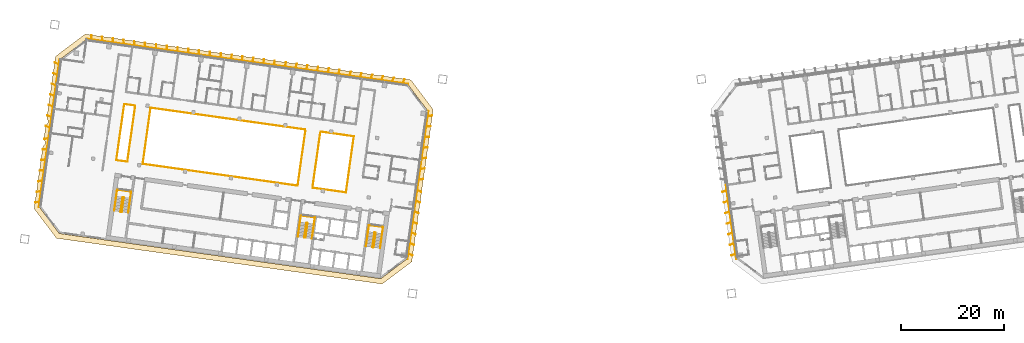
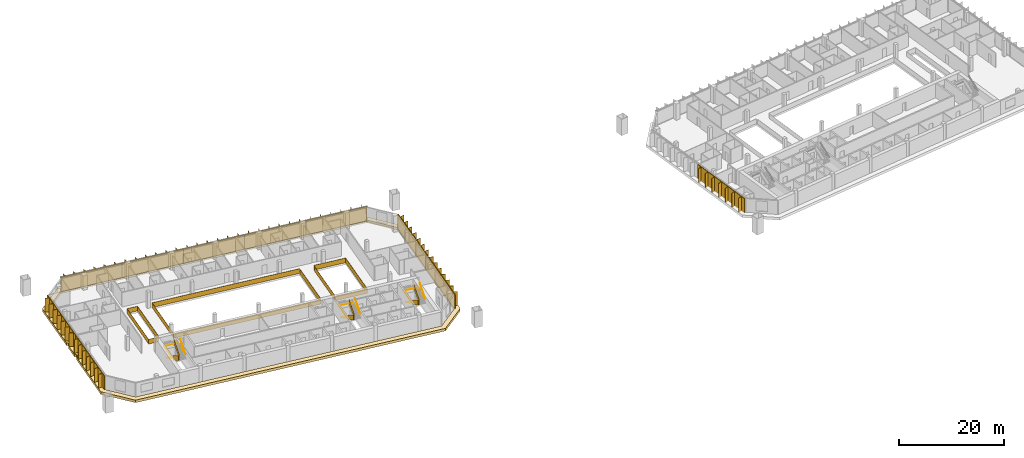
# One storey, part 25 of 26: 11 railings, 10 shading devices, 1 covering.
"""IFC4 building model written with IfcOpenShell, lengths in metres."""

from ifc_helpers import new_model, si_unit, direction, frame, origin, origin_2d, place, context, subcontext, project, spatial, polyline, rectangle, outline, extrude, material, layer, layer_set, type_object, element, save


model = new_model("IFC4")

# Units and contexts
model_context = context("Model", 3, precision=1e-05, world=origin(), true_north=direction((0.0, 1.0)))
body_context = subcontext(model_context, "Body", "Model", "MODEL_VIEW")
ifc_project = project(units=[si_unit("LENGTHUNIT", "METRE"), si_unit("AREAUNIT", "SQUARE_METRE"), si_unit("VOLUMEUNIT", "CUBIC_METRE"), si_unit("PLANEANGLEUNIT", "RADIAN"), si_unit("MASSUNIT", "GRAM", prefix="KILO")], contexts=[model_context])

# Site, building, storey
site_placement = place(None, origin())
site = spatial("IfcSite", under=ifc_project, at=site_placement, CompositionType="ELEMENT")
building_placement = place(site_placement, origin())
building = spatial("IfcBuilding", under=site, at=building_placement, Name="Mirante Cascada Hotel Towers", CompositionType="ELEMENT")
storey_placement = place(building_placement, frame((0.0, 0.0, 144.3)))
storey = spatial("IfcBuildingStorey", under=building, at=storey_placement, Name="L33", CompositionType="ELEMENT", Elevation=144.3)

# Railings
ifc_material_1 = material(Name="Toughened glass with stainless steel handrail", Category="steel")
railing_type_1 = type_object("IfcRailingType", Name="Atrium guard 1100 glass balustrade", PredefinedType="GUARDRAIL", material=ifc_material_1)
railing_1_placement = place(storey_placement, frame((-48.76, 8.3112, 0.0)))
element("IfcRailing", 1, at=railing_1_placement, inside=storey, type_object=railing_type_1, Name="GUARD 1-L33-1", PredefinedType="GUARDRAIL", context=body_context, shape_type="SweptSolid", body=[
    extrude(rectangle(XDim=0.048, YDim=0.048, at=origin_2d()), frame((0.0, 0.0, 1.076), z_axis=(0.9902694, -0.1391638, 0.0), x_axis=(0.1391638, 0.9902694, 0.0)), (0.0, 0.0, 1.0), 6.5125),
    extrude(rectangle(XDim=0.02, YDim=1.052, at=origin_2d()), frame((0.0, 0.0, 0.526), z_axis=(0.9902694, -0.1391638, 0.0), x_axis=(0.1391638, 0.9902694, 0.0)), (0.0, 0.0, 1.0), 6.5125),
    extrude(rectangle(XDim=0.048, YDim=0.048, at=origin_2d()), frame((6.4491, -0.9063, 1.076), z_axis=(-0.1391721, -0.9902682, 0.0), x_axis=(0.9902682, -0.1391721, 0.0)), (0.0, 0.0, 1.0), 11.0001),
    extrude(rectangle(XDim=0.02, YDim=1.052, at=origin_2d()), frame((6.4491, -0.9063, 0.526), z_axis=(-0.1391721, -0.9902682, 0.0), x_axis=(0.9902682, -0.1391721, 0.0)), (0.0, 0.0, 1.0), 11.0001),
    extrude(rectangle(XDim=0.048, YDim=0.048, at=origin_2d()), frame((4.9182, -11.7993, 1.076), z_axis=(-0.9902673, 0.1391788, 0.0), x_axis=(-0.1391788, -0.9902673, 0.0)), (0.0, 0.0, 1.0), 6.5125),
    extrude(rectangle(XDim=0.02, YDim=1.052, at=origin_2d()), frame((4.9182, -11.7993, 0.526), z_axis=(-0.9902673, 0.1391788, 0.0), x_axis=(-0.1391788, -0.9902673, 0.0)), (0.0, 0.0, 1.0), 6.5125),
])
railing_2_placement = place(storey_placement, frame((-53.2617, -2.1642, 0.0)))
element("IfcRailing", 2, at=railing_2_placement, inside=storey, type_object=railing_type_1, Name="GUARD 1-L33-2", PredefinedType="GUARDRAIL", context=body_context, shape_type="SweptSolid", body=[
    extrude(rectangle(XDim=0.048, YDim=0.048, at=origin_2d()), frame((0.0, 0.0, 1.076), z_axis=(-0.9902682, 0.1391722, 0.0), x_axis=(-0.1391722, -0.9902682, 0.0)), (0.0, 0.0, 1.0), 30.325),
    extrude(rectangle(XDim=0.02, YDim=1.052, at=origin_2d()), frame((0.0, 0.0, 0.526), z_axis=(-0.9902682, 0.1391722, 0.0), x_axis=(-0.1391722, -0.9902682, 0.0)), (0.0, 0.0, 1.0), 30.325),
    extrude(rectangle(XDim=0.048, YDim=0.048, at=origin_2d()), frame((-30.0299, 4.2204, 1.076), z_axis=(0.1391721, 0.9902682, 0.0), x_axis=(-0.9902682, 0.1391721, 0.0)), (0.0, 0.0, 1.0), 11.0001),
    extrude(rectangle(XDim=0.02, YDim=1.052, at=origin_2d()), frame((-30.0299, 4.2204, 0.526), z_axis=(0.1391721, 0.9902682, 0.0), x_axis=(-0.9902682, 0.1391721, 0.0)), (0.0, 0.0, 1.0), 11.0001),
    extrude(rectangle(XDim=0.048, YDim=0.048, at=origin_2d()), frame((-28.499, 15.1134, 1.076), z_axis=(0.9902682, -0.1391722, 0.0), x_axis=(0.1391722, 0.9902682, 0.0)), (0.0, 0.0, 1.0), 30.325),
    extrude(rectangle(XDim=0.02, YDim=1.052, at=origin_2d()), frame((-28.499, 15.1134, 0.526), z_axis=(0.9902682, -0.1391722, 0.0), x_axis=(0.1391722, 0.9902682, 0.0)), (0.0, 0.0, 1.0), 30.325),
])
railing_3_placement = place(storey_placement, frame((-86.2624, 2.4738, 0.0)))
element("IfcRailing", 3, at=railing_3_placement, inside=storey, type_object=railing_type_1, Name="GUARD 1-L33-3", PredefinedType="GUARDRAIL", context=body_context, shape_type="SweptSolid", body=[
    extrude(rectangle(XDim=0.048, YDim=0.048, at=origin_2d()), frame((0.0, 0.0, 1.076), z_axis=(-0.9902724, 0.1391422, 0.0), x_axis=(-0.1391422, -0.9902724, 0.0)), (0.0, 0.0, 1.0), 2.1625),
    extrude(rectangle(XDim=0.02, YDim=1.052, at=origin_2d()), frame((0.0, 0.0, 0.526), z_axis=(-0.9902724, 0.1391422, 0.0), x_axis=(-0.1391422, -0.9902724, 0.0)), (0.0, 0.0, 1.0), 2.1625),
    extrude(rectangle(XDim=0.048, YDim=0.048, at=origin_2d()), frame((-2.1415, 0.3009, 1.076), z_axis=(0.1391721, 0.9902682, 0.0), x_axis=(-0.9902682, 0.1391721, 0.0)), (0.0, 0.0, 1.0), 11.0001),
    extrude(rectangle(XDim=0.02, YDim=1.052, at=origin_2d()), frame((-2.1415, 0.3009, 0.526), z_axis=(0.1391721, 0.9902682, 0.0), x_axis=(-0.9902682, 0.1391721, 0.0)), (0.0, 0.0, 1.0), 11.0001),
    extrude(rectangle(XDim=0.048, YDim=0.048, at=origin_2d()), frame((-0.6106, 11.1939, 1.076), z_axis=(0.990266, -0.1391875, 0.0), x_axis=(0.1391875, 0.990266, 0.0)), (0.0, 0.0, 1.0), 2.1626),
    extrude(rectangle(XDim=0.02, YDim=1.052, at=origin_2d()), frame((-0.6106, 11.1939, 0.526), z_axis=(0.990266, -0.1391875, 0.0), x_axis=(0.1391875, 0.990266, 0.0)), (0.0, 0.0, 1.0), 2.1626),
    extrude(rectangle(XDim=0.048, YDim=0.048, at=origin_2d()), frame((1.5309, 10.8929, 1.076), z_axis=(-0.1391733, -0.990268, 0.0), x_axis=(0.990268, -0.1391733, 0.0)), (0.0, 0.0, 1.0), 11.0),
    extrude(rectangle(XDim=0.02, YDim=1.052, at=origin_2d()), frame((1.5309, 10.8929, 0.526), z_axis=(-0.1391733, -0.990268, 0.0), x_axis=(0.990268, -0.1391733, 0.0)), (0.0, 0.0, 1.0), 11.0),
])
railing_4_placement = place(storey_placement, frame((-53.172, -1.8782, 0.0)))
element("IfcRailing", 4, at=railing_4_placement, inside=storey, type_object=railing_type_1, Name="GUARD 1-L33-4", PredefinedType="GUARDRAIL", context=body_context, shape_type="SweptSolid", body=[
    extrude(rectangle(XDim=0.048, YDim=0.048, at=origin_2d()), frame((0.0, 0.0, 1.076), z_axis=(0.1391721, 0.9902682, 0.0), x_axis=(-0.9902682, 0.1391721, 0.0)), (0.0, 0.0, 1.0), 10.4087),
    extrude(rectangle(XDim=0.02, YDim=1.052, at=origin_2d()), frame((0.0, 0.0, 0.526), z_axis=(0.1391721, 0.9902682, 0.0), x_axis=(-0.9902682, 0.1391721, 0.0)), (0.0, 0.0, 1.0), 10.4087),
])
railing_5_placement = place(storey_placement, frame((-48.8497, 8.0253, 0.0)))
element("IfcRailing", 5, at=railing_5_placement, inside=storey, type_object=railing_type_1, Name="GUARD 1-L33-5", PredefinedType="GUARDRAIL", context=body_context, shape_type="SweptSolid", body=[
    extrude(rectangle(XDim=0.048, YDim=0.048, at=origin_2d()), frame((0.0, 0.0, 1.076), z_axis=(-0.1391708, -0.9902684, 0.0), x_axis=(0.9902684, -0.1391708, 0.0)), (0.0, 0.0, 1.0), 10.4088),
    extrude(rectangle(XDim=0.02, YDim=1.052, at=origin_2d()), frame((0.0, 0.0, 0.526), z_axis=(-0.1391708, -0.9902684, 0.0), x_axis=(0.9902684, -0.1391708, 0.0)), (0.0, 0.0, 1.0), 10.4088),
])

# Covering
ifc_material_2 = material(Name="Precast concrete C40/50 white", Category="concrete")
ifc_layer = layer(ifc_material_2, 0.6)
ifc_layer_set = layer_set([ifc_layer], Name="Precast concrete SUNSHADE band 1000x600")
covering_type = type_object("IfcCoveringType", Name="Precast concrete SUNSHADE band 1000x600", PredefinedType="CLADDING", material=ifc_layer_set)
covering_placement = place(storey_placement, frame((0.0, 0.0, -0.45)))
element("IfcCovering", 6, at=covering_placement, inside=storey, type_object=covering_type, Name="Precast concrete SUNSHADE band T1 L33", PredefinedType="CLADDING", context=body_context, shape_type="SweptSolid", body=[
    extrude(outline(polyline([(-104.3652, -6.6094), (-102.6578, 5.5396), (-102.6201, 5.5495), (-102.5759, 5.5658), (-102.5336, 5.5865), (-102.4935, 5.6112), (-102.4559, 5.6396), (-102.4214, 5.6717), (-102.3902, 5.7069), (-102.3626, 5.7451), (-102.3388, 5.7858), (-102.3192, 5.8286), (-102.3038, 5.8731), (-102.2929, 5.9189), (-102.2492, 6.1524), (-102.2428, 6.1991), (-102.2411, 6.2462), (-102.2439, 6.2932), (-102.2514, 6.3397), (-102.2633, 6.3853), (-102.2797, 6.4294), (-102.3004, 6.4718), (-102.325, 6.5119), (-102.3535, 6.5494), (-102.3856, 6.5839), (-102.4208, 6.6152), (-102.459, 6.6428), (-102.4994, 6.6664), (-102.0797, 9.6529), (-102.0343, 9.6644), (-101.99, 9.6804), (-101.9475, 9.7007), (-101.9072, 9.7251), (-101.8695, 9.7533), (-101.8347, 9.7851), (-101.8032, 9.8201), (-101.7753, 9.858), (-101.7512, 9.8985), (-101.7312, 9.9412), (-101.7155, 9.9856), (-101.7043, 10.0313), (-101.6975, 10.078), (-101.6751, 10.3144), (-101.673, 10.3615), (-101.6755, 10.4085), (-101.6826, 10.4551), (-101.6942, 10.5008), (-101.7102, 10.545), (-101.7305, 10.5876), (-101.7549, 10.6279), (-101.7831, 10.6656), (-101.8149, 10.7004), (-101.8499, 10.7319), (-101.8878, 10.7598), (-101.9213, 10.7797), (-100.2139, 22.9287), (-94.4698, 27.2572), (-31.2626, 18.374), (-26.9341, 12.6299), (-31.0854, -16.9082), (-36.8295, -21.2367), (-100.0367, -12.3535), (-104.3652, -6.6094)]), holes=[polyline([(-27.982, 12.3589), (-31.8119, 17.4414), (-94.1988, 26.2093), (-99.2813, 22.3794), (-103.3173, -6.3384), (-99.4874, -11.4209), (-37.1005, -20.1888), (-32.018, -16.3589), (-27.982, 12.3589)])]), origin(), (0.0, 0.0, 1.0), 0.6),
])

# Railings
ifc_material_3 = material(Name="Painted steel", Category="steel")
railing_type_2 = type_object("IfcRailingType", Name="Stair guard 1100 steel balustrade", PredefinedType="GUARDRAIL", material=ifc_material_3)
railing_6_placement = place(storey_placement, frame((-38.1178, -11.2603, 0.0)))
element("IfcRailing", 7, at=railing_6_placement, inside=storey, type_object=railing_type_2, Name="L33 ST1-A stair guard 1", PredefinedType="GUARDRAIL", context=body_context, shape_type="SweptSolid", body=[
    extrude(rectangle(XDim=0.048, YDim=0.048, at=origin_2d()), frame((0.0, 0.0, 1.076), z_axis=(-0.9903326, 0.1387133, 0.0), x_axis=(-0.1387133, -0.9903326, 0.0)), (0.0, 0.0, 1.0), 0.1499),
    extrude(rectangle(XDim=0.02, YDim=1.052, at=origin_2d()), frame((0.0, 0.0, 0.526), z_axis=(-0.9903326, 0.1387133, 0.0), x_axis=(-0.1387133, -0.9903326, 0.0)), (0.0, 0.0, 1.0), 0.1499),
    extrude(rectangle(XDim=0.048, YDim=0.048, at=origin_2d()), frame((-0.1485, 0.0208, 1.076), z_axis=(-0.7991505, -0.6011309, 0.0), x_axis=(0.6011309, -0.7991505, 0.0)), (0.0, 0.9254529, 0.3788627), 0.1866),
    extrude(rectangle(XDim=0.02, YDim=1.052, at=origin_2d()), frame((-0.1485, 0.0208, 0.526), z_axis=(-0.7991505, -0.6011309, 0.0), x_axis=(0.6011309, -0.7991505, 0.0)), (0.0, 0.9254529, 0.3788627), 0.1866),
    extrude(rectangle(XDim=0.048, YDim=0.048, at=origin_2d()), frame((-0.205, -0.0217, 1.2487), z_axis=(-0.139176, -0.9902677, 0.0), x_axis=(0.9902677, -0.139176, 0.0)), (0.0, 0.5250212, 0.8510891), 3.29),
    extrude(rectangle(XDim=0.02, YDim=1.052, at=origin_2d()), frame((-0.205, -0.0217, 0.6987), z_axis=(-0.139176, -0.9902677, 0.0), x_axis=(0.9902677, -0.139176, 0.0)), (0.0, 0.5250212, 0.8510891), 3.29),
    extrude(rectangle(XDim=0.048, YDim=0.048, at=origin_2d()), frame((-0.5947, -2.7945, 2.976), z_axis=(0.9270311, -0.3749843, 0.0), x_axis=(0.3749843, 0.9270311, 0.0)), (0.0, 0.0, 1.0), 0.2061),
    extrude(rectangle(XDim=0.02, YDim=1.052, at=origin_2d()), frame((-0.5947, -2.7945, 2.426), z_axis=(0.9270311, -0.3749843, 0.0), x_axis=(0.3749843, 0.9270311, 0.0)), (0.0, 0.0, 1.0), 0.2061),
    extrude(rectangle(XDim=0.048, YDim=0.048, at=origin_2d()), frame((-0.4036, -2.8718, 2.976), z_axis=(-0.9902408, 0.1393672, 0.0), x_axis=(-0.1393672, -0.9902408, 0.0)), (0.0, 0.0, 1.0), 0.15),
    extrude(rectangle(XDim=0.02, YDim=1.052, at=origin_2d()), frame((-0.4036, -2.8718, 2.426), z_axis=(-0.9902408, 0.1393672, 0.0), x_axis=(-0.1393672, -0.9902408, 0.0)), (0.0, 0.0, 1.0), 0.15),
    extrude(rectangle(XDim=0.048, YDim=0.048, at=origin_2d()), frame((-0.5521, -2.8509, 2.976), z_axis=(0.9944948, 0.1047858, 0.0), x_axis=(-0.1047858, 0.9944948, 0.0)), (0.0, 0.6422034, 0.7665343), 0.2689),
    extrude(rectangle(XDim=0.02, YDim=1.052, at=origin_2d()), frame((-0.5521, -2.8509, 2.426), z_axis=(0.9944948, 0.1047858, 0.0), x_axis=(-0.1047858, 0.9944948, 0.0)), (0.0, 0.6422034, 0.7665343), 0.2689),
    extrude(rectangle(XDim=0.048, YDim=0.048, at=origin_2d()), frame((-0.3471, -2.8293, 3.1487), z_axis=(0.139176, 0.9902677, 0.0), x_axis=(-0.9902677, 0.139176, 0.0)), (0.0, 0.5250212, 0.8510891), 3.29),
    extrude(rectangle(XDim=0.02, YDim=1.052, at=origin_2d()), frame((-0.3471, -2.8293, 2.5987), z_axis=(0.139176, 0.9902677, 0.0), x_axis=(-0.9902677, 0.139176, 0.0)), (0.0, 0.5250212, 0.8510891), 3.29),
])
railing_7_placement = place(storey_placement, frame((-51.3379, -9.4024, 0.0)))
element("IfcRailing", 8, at=railing_7_placement, inside=storey, type_object=railing_type_2, Name="L33 ST1-B stair guard 1", PredefinedType="GUARDRAIL", context=body_context, shape_type="SweptSolid", body=[
    extrude(rectangle(XDim=0.048, YDim=0.048, at=origin_2d()), frame((0.0, 0.0, 1.076), z_axis=(-0.9902408, 0.1393672, 0.0), x_axis=(-0.1393672, -0.9902408, 0.0)), (0.0, 0.0, 1.0), 0.15),
    extrude(rectangle(XDim=0.02, YDim=1.052, at=origin_2d()), frame((0.0, 0.0, 0.526), z_axis=(-0.9902408, 0.1393672, 0.0), x_axis=(-0.1393672, -0.9902408, 0.0)), (0.0, 0.0, 1.0), 0.15),
    extrude(rectangle(XDim=0.048, YDim=0.048, at=origin_2d()), frame((-0.1485, 0.0209, 1.076), z_axis=(-0.7984711, -0.6020331, 0.0), x_axis=(0.6020331, -0.7984711, 0.0)), (0.0, 0.9253398, 0.3791387), 0.1866),
    extrude(rectangle(XDim=0.02, YDim=1.052, at=origin_2d()), frame((-0.1485, 0.0209, 0.526), z_axis=(-0.7984711, -0.6020331, 0.0), x_axis=(0.6020331, -0.7984711, 0.0)), (0.0, 0.9253398, 0.3791387), 0.1866),
    extrude(rectangle(XDim=0.048, YDim=0.048, at=origin_2d()), frame((-0.205, -0.0217, 1.2487), z_axis=(-0.139181, -0.990267, 0.0), x_axis=(0.990267, -0.139181, 0.0)), (0.0, 0.5250347, 0.8510808), 3.2899),
    extrude(rectangle(XDim=0.02, YDim=1.052, at=origin_2d()), frame((-0.205, -0.0217, 0.6987), z_axis=(-0.139181, -0.990267, 0.0), x_axis=(0.990267, -0.139181, 0.0)), (0.0, 0.5250347, 0.8510808), 3.2899),
    extrude(rectangle(XDim=0.048, YDim=0.048, at=origin_2d()), frame((-0.5947, -2.7944, 2.976), z_axis=(0.9268624, -0.3754011, 0.0), x_axis=(0.3754011, 0.9268624, 0.0)), (0.0, 0.0, 1.0), 0.2062),
    extrude(rectangle(XDim=0.02, YDim=1.052, at=origin_2d()), frame((-0.5947, -2.7944, 2.426), z_axis=(0.9268624, -0.3754011, 0.0), x_axis=(0.3754011, 0.9268624, 0.0)), (0.0, 0.0, 1.0), 0.2062),
    extrude(rectangle(XDim=0.048, YDim=0.048, at=origin_2d()), frame((-0.4036, -2.8718, 2.976), z_axis=(-0.9902408, 0.1393672, 0.0), x_axis=(-0.1393672, -0.9902408, 0.0)), (0.0, 0.0, 1.0), 0.15),
    extrude(rectangle(XDim=0.02, YDim=1.052, at=origin_2d()), frame((-0.4036, -2.8718, 2.426), z_axis=(-0.9902408, 0.1393672, 0.0), x_axis=(-0.1393672, -0.9902408, 0.0)), (0.0, 0.0, 1.0), 0.15),
    extrude(rectangle(XDim=0.048, YDim=0.048, at=origin_2d()), frame((-0.5521, -2.8509, 2.976), z_axis=(0.9944441, 0.1052656, 0.0), x_axis=(-0.1052656, 0.9944441, 0.0)), (0.0, 0.6421842, 0.7665504), 0.2689),
    extrude(rectangle(XDim=0.02, YDim=1.052, at=origin_2d()), frame((-0.5521, -2.8509, 2.426), z_axis=(0.9944441, 0.1052656, 0.0), x_axis=(-0.1052656, 0.9944441, 0.0)), (0.0, 0.6421842, 0.7665504), 0.2689),
    extrude(rectangle(XDim=0.048, YDim=0.048, at=origin_2d()), frame((-0.3471, -2.8292, 3.1487), z_axis=(0.139181, 0.990267, 0.0), x_axis=(-0.990267, 0.139181, 0.0)), (0.0, 0.5250347, 0.8510808), 3.2899),
    extrude(rectangle(XDim=0.02, YDim=1.052, at=origin_2d()), frame((-0.3471, -2.8292, 2.5987), z_axis=(0.139181, 0.990267, 0.0), x_axis=(-0.990267, 0.139181, 0.0)), (0.0, 0.5250347, 0.8510808), 3.2899),
])
railing_8_placement = place(storey_placement, frame((-86.9875, -4.3922, 0.0)))
element("IfcRailing", 9, at=railing_8_placement, inside=storey, type_object=railing_type_2, Name="L33 ST1-C stair guard 1", PredefinedType="GUARDRAIL", context=body_context, shape_type="SweptSolid", body=[
    extrude(rectangle(XDim=0.048, YDim=0.048, at=origin_2d()), frame((0.0, 0.0, 1.076), z_axis=(-0.9902537, 0.1392753, 0.0), x_axis=(-0.1392753, -0.9902537, 0.0)), (0.0, 0.0, 1.0), 0.1501),
    extrude(rectangle(XDim=0.02, YDim=1.052, at=origin_2d()), frame((0.0, 0.0, 0.526), z_axis=(-0.9902537, 0.1392753, 0.0), x_axis=(-0.1392753, -0.9902537, 0.0)), (0.0, 0.0, 1.0), 0.1501),
    extrude(rectangle(XDim=0.048, YDim=0.048, at=origin_2d()), frame((-0.1486, 0.0209, 1.076), z_axis=(-0.7986386, -0.601811, 0.0), x_axis=(0.601811, -0.7986386, 0.0)), (0.0, 0.925603, 0.3784959), 0.1866),
    extrude(rectangle(XDim=0.02, YDim=1.052, at=origin_2d()), frame((-0.1486, 0.0209, 0.526), z_axis=(-0.7986386, -0.601811, 0.0), x_axis=(0.601811, -0.7986386, 0.0)), (0.0, 0.925603, 0.3784959), 0.1866),
    extrude(rectangle(XDim=0.048, YDim=0.048, at=origin_2d()), frame((-0.205, -0.0216, 1.2487), z_axis=(-0.139176, -0.9902677, 0.0), x_axis=(0.9902677, -0.139176, 0.0)), (0.0, 0.5250212, 0.8510891), 3.29),
    extrude(rectangle(XDim=0.02, YDim=1.052, at=origin_2d()), frame((-0.205, -0.0216, 0.6987), z_axis=(-0.139176, -0.9902677, 0.0), x_axis=(0.9902677, -0.139176, 0.0)), (0.0, 0.5250212, 0.8510891), 3.29),
    extrude(rectangle(XDim=0.048, YDim=0.048, at=origin_2d()), frame((-0.5947, -2.7944, 2.976), z_axis=(0.9270311, -0.3749843, 0.0), x_axis=(0.3749843, 0.9270311, 0.0)), (0.0, 0.0, 1.0), 0.2061),
    extrude(rectangle(XDim=0.02, YDim=1.052, at=origin_2d()), frame((-0.5947, -2.7944, 2.426), z_axis=(0.9270311, -0.3749843, 0.0), x_axis=(0.3749843, 0.9270311, 0.0)), (0.0, 0.0, 1.0), 0.2061),
    extrude(rectangle(XDim=0.048, YDim=0.048, at=origin_2d()), frame((-0.4036, -2.8717, 2.976), z_axis=(-0.9903454, 0.1386217, 0.0), x_axis=(-0.1386217, -0.9903454, 0.0)), (0.0, 0.0, 1.0), 0.15),
    extrude(rectangle(XDim=0.02, YDim=1.052, at=origin_2d()), frame((-0.4036, -2.8717, 2.426), z_axis=(-0.9903454, 0.1386217, 0.0), x_axis=(-0.1386217, -0.9903454, 0.0)), (0.0, 0.0, 1.0), 0.15),
    extrude(rectangle(XDim=0.048, YDim=0.048, at=origin_2d()), frame((-0.5522, -2.8509, 2.976), z_axis=(0.9944441, 0.1052656, 0.0), x_axis=(-0.1052656, 0.9944441, 0.0)), (0.0, 0.6421842, 0.7665504), 0.2689),
    extrude(rectangle(XDim=0.02, YDim=1.052, at=origin_2d()), frame((-0.5522, -2.8509, 2.426), z_axis=(0.9944441, 0.1052656, 0.0), x_axis=(-0.1052656, 0.9944441, 0.0)), (0.0, 0.6421842, 0.7665504), 0.2689),
    extrude(rectangle(XDim=0.048, YDim=0.048, at=origin_2d()), frame((-0.3472, -2.8292, 3.1487), z_axis=(0.139176, 0.9902677, 0.0), x_axis=(-0.9902677, 0.139176, 0.0)), (0.0, 0.5250212, 0.8510891), 3.29),
    extrude(rectangle(XDim=0.02, YDim=1.052, at=origin_2d()), frame((-0.3472, -2.8292, 2.5987), z_axis=(0.139176, 0.9902677, 0.0), x_axis=(-0.9902677, 0.139176, 0.0)), (0.0, 0.5250212, 0.8510891), 3.29),
])
ifc_material_4 = material(Name="Painted steel", Category="steel")
railing_type_3 = type_object("IfcRailingType", Name="Stair handrail 900 steel tube", PredefinedType="HANDRAIL", material=ifc_material_4)
railing_9_placement = place(storey_placement, frame((-39.5606, -11.1081, 0.1727)))
element("IfcRailing", 10, at=railing_9_placement, inside=storey, type_object=railing_type_3, Name="L33 ST1-A stair handrail 1", PredefinedType="HANDRAIL", context=body_context, shape_type="SweptSolid", body=[
    extrude(rectangle(XDim=0.048, YDim=0.048, at=origin_2d()), frame((0.0, 0.0, 0.876), z_axis=(-0.139181, -0.990267, 0.0), x_axis=(0.990267, -0.139181, 0.0)), (0.0, 0.5250347, 0.8510808), 3.2899),
    extrude(rectangle(XDim=0.048, YDim=0.048, at=origin_2d()), frame((-0.3897, -2.7727, 2.6033), z_axis=(0.1391707, 0.9902684, 0.0), x_axis=(-0.9902684, 0.1391707, 0.0)), (0.0, 0.0420846, 0.999114), 4.1036),
    extrude(rectangle(XDim=0.048, YDim=0.048, at=origin_2d()), frame((0.1809, 1.2874, 2.776), z_axis=(0.9902691, -0.1391657, 0.0), x_axis=(0.1391657, 0.9902691, 0.0)), (0.0, 0.0, 1.0), 2.75),
    extrude(rectangle(XDim=0.048, YDim=0.048, at=origin_2d()), frame((2.9041, 0.9047, 2.776), z_axis=(-0.1391707, -0.9902684, 0.0), x_axis=(0.9902684, -0.1391707, 0.0)), (0.0, 0.0, 1.0), 4.1),
    extrude(rectangle(XDim=0.048, YDim=0.048, at=origin_2d()), frame((2.3335, -3.1554, 2.776), z_axis=(0.139181, 0.990267, 0.0), x_axis=(-0.990267, 0.139181, 0.0)), (0.0, 0.5250347, 0.8510808), 3.2899),
])
railing_10_placement = place(storey_placement, frame((-52.7807, -9.2501, 0.1727)))
element("IfcRailing", 11, at=railing_10_placement, inside=storey, type_object=railing_type_3, Name="L33 ST1-B stair handrail 1", PredefinedType="HANDRAIL", context=body_context, shape_type="SweptSolid", body=[
    extrude(rectangle(XDim=0.048, YDim=0.048, at=origin_2d()), frame((0.0, 0.0, 0.876), z_axis=(-0.139181, -0.990267, 0.0), x_axis=(0.990267, -0.139181, 0.0)), (0.0, 0.5250347, 0.8510808), 3.2899),
    extrude(rectangle(XDim=0.048, YDim=0.048, at=origin_2d()), frame((-0.3897, -2.7727, 2.6033), z_axis=(0.1391707, 0.9902684, 0.0), x_axis=(-0.9902684, 0.1391707, 0.0)), (0.0, 0.0420846, 0.999114), 4.1036),
    extrude(rectangle(XDim=0.048, YDim=0.048, at=origin_2d()), frame((0.1809, 1.2874, 2.776), z_axis=(0.9902641, -0.1392013, 0.0), x_axis=(0.1392013, 0.9902641, 0.0)), (0.0, 0.0, 1.0), 2.75),
    extrude(rectangle(XDim=0.048, YDim=0.048, at=origin_2d()), frame((2.9041, 0.9046, 2.776), z_axis=(-0.1391707, -0.9902684, 0.0), x_axis=(0.9902684, -0.1391707, 0.0)), (0.0, 0.0, 1.0), 4.1),
    extrude(rectangle(XDim=0.048, YDim=0.048, at=origin_2d()), frame((2.3335, -3.1555, 2.776), z_axis=(0.139176, 0.9902677, 0.0), x_axis=(-0.9902677, 0.139176, 0.0)), (0.0, 0.5250212, 0.8510891), 3.29),
])
railing_11_placement = place(storey_placement, frame((-88.4304, -4.2399, 0.1727)))
element("IfcRailing", 12, at=railing_11_placement, inside=storey, type_object=railing_type_3, Name="L33 ST1-C stair handrail 1", PredefinedType="HANDRAIL", context=body_context, shape_type="SweptSolid", body=[
    extrude(rectangle(XDim=0.048, YDim=0.048, at=origin_2d()), frame((0.0, 0.0, 0.876), z_axis=(-0.139181, -0.990267, 0.0), x_axis=(0.990267, -0.139181, 0.0)), (0.0, 0.5250347, 0.8510808), 3.2899),
    extrude(rectangle(XDim=0.048, YDim=0.048, at=origin_2d()), frame((-0.3897, -2.7727, 2.6033), z_axis=(0.1391947, 0.990265, 0.0), x_axis=(-0.990265, 0.1391947, 0.0)), (0.0, 0.0420845, 0.9991141), 4.1036),
    extrude(rectangle(XDim=0.048, YDim=0.048, at=origin_2d()), frame((0.181, 1.2874, 2.776), z_axis=(0.9902691, -0.1391657, 0.0), x_axis=(0.1391657, 0.9902691, 0.0)), (0.0, 0.0, 1.0), 2.75),
    extrude(rectangle(XDim=0.048, YDim=0.048, at=origin_2d()), frame((2.9042, 0.9047, 2.776), z_axis=(-0.1391707, -0.9902684, 0.0), x_axis=(0.9902684, -0.1391707, 0.0)), (0.0, 0.0, 1.0), 4.1),
    extrude(rectangle(XDim=0.048, YDim=0.048, at=origin_2d()), frame((2.3336, -3.1554, 2.776), z_axis=(0.139181, 0.990267, 0.0), x_axis=(-0.990267, 0.139181, 0.0)), (0.0, 0.5250347, 0.8510808), 3.2899),
])

# Shading devices
ifc_material_5 = material(Name="White precast concrete C50/60 fin", Category="concrete")
shading_device_type = type_object("IfcShadingDeviceType", Name="Vertical fin set 4500x900", PredefinedType="USERDEFINED", material=ifc_material_5)
shading_device_1_placement = place(storey_placement, origin())
element("IfcShadingDevice", 13, at=shading_device_1_placement, inside=storey, type_object=shading_device_type, Name="FIN T1 L33 front 1", ObjectType="FIN", PredefinedType="USERDEFINED", context=body_context, shape_type="SweptSolid", body=[
    extrude(outline(polyline([(-82.8173, 25.599), (-82.7126, 24.7465), (-81.7006, 24.6042), (-81.7214, 24.4557), (-94.1988, 26.2093), (-94.1779, 26.3578), (-93.1924, 26.2193), (-93.2945, 27.0506), (-93.2151, 27.0603), (-93.1104, 26.2078), (-91.1129, 25.9271), (-91.2149, 26.7583), (-91.1355, 26.7681), (-91.0308, 25.9155), (-89.0333, 25.6348), (-89.1354, 26.4661), (-89.056, 26.4758), (-88.9513, 25.6233), (-86.9537, 25.3425), (-87.0558, 26.1738), (-86.9764, 26.1835), (-86.8717, 25.331), (-84.8742, 25.0503), (-84.9762, 25.8815), (-84.8968, 25.8913), (-84.7922, 25.0387), (-82.7946, 24.758), (-82.8967, 25.5893), (-82.8173, 25.599)])), origin(), (0.0, 0.0, 1.0), 3.35),
])
shading_device_2_placement = place(storey_placement, origin())
element("IfcShadingDevice", 14, at=shading_device_2_placement, inside=storey, type_object=shading_device_type, Name="FIN T1 L33 front 2", ObjectType="FIN", PredefinedType="USERDEFINED", context=body_context, shape_type="SweptSolid", body=[
    extrude(outline(polyline([(-70.2221, 23.8469), (-70.2295, 22.9921), (-69.2232, 22.8507), (-69.2441, 22.7021), (-81.7214, 24.4557), (-81.7006, 24.6042), (-80.7072, 24.4646), (-80.6999, 25.3089), (-80.6199, 25.3082), (-80.6273, 24.4534), (-78.6277, 24.1724), (-78.6203, 25.0166), (-78.5403, 25.0159), (-78.5478, 24.1611), (-76.5481, 23.8801), (-76.5407, 24.7244), (-76.4608, 24.7237), (-76.4682, 23.8689), (-74.4686, 23.5878), (-74.4612, 24.4321), (-74.3812, 24.4314), (-74.3886, 23.5766), (-72.389, 23.2956), (-72.3816, 24.1399), (-72.3016, 24.1392), (-72.3091, 23.2844), (-70.3094, 23.0033), (-70.3021, 23.8476), (-70.2221, 23.8469)])), origin(), (0.0, 0.0, 1.0), 3.35),
])
shading_device_3_placement = place(storey_placement, origin())
element("IfcShadingDevice", 15, at=shading_device_3_placement, inside=storey, type_object=shading_device_type, Name="FIN T1 L33 front 3", ObjectType="FIN", PredefinedType="USERDEFINED", context=body_context, shape_type="SweptSolid", body=[
    extrude(outline(polyline([(-57.6277, 22.0794), (-57.746, 21.2376), (-56.7458, 21.0971), (-56.7667, 20.9485), (-69.2441, 22.7021), (-69.2232, 22.8507), (-68.223, 22.7101), (-68.1047, 23.5518), (-68.0255, 23.5407), (-68.1438, 22.699), (-66.1434, 22.4178), (-66.0251, 23.2596), (-65.9459, 23.2484), (-66.0642, 22.4067), (-64.0639, 22.1256), (-63.9456, 22.9673), (-63.8664, 22.9562), (-63.9847, 22.1144), (-61.9843, 21.8333), (-61.866, 22.675), (-61.7868, 22.6639), (-61.9051, 21.8222), (-59.9048, 21.541), (-59.7865, 22.3828), (-59.7072, 22.3716), (-59.8255, 21.5299), (-57.8252, 21.2488), (-57.7069, 22.0905), (-57.6277, 22.0794)])), origin(), (0.0, 0.0, 1.0), 3.35),
])
shading_device_4_placement = place(storey_placement, origin())
element("IfcShadingDevice", 16, at=shading_device_4_placement, inside=storey, type_object=shading_device_type, Name="FIN T1 L33 front 4", ObjectType="FIN", PredefinedType="USERDEFINED", context=body_context, shape_type="SweptSolid", body=[
    extrude(outline(polyline([(-45.0361, 20.2967), (-45.2617, 19.4831), (-44.2684, 19.3435), (-44.2893, 19.195), (-56.7667, 20.9485), (-56.7458, 21.0971), (-55.7394, 20.9556), (-55.511, 21.7794), (-55.4339, 21.758), (-55.6595, 20.9444), (-53.6599, 20.6634), (-53.4314, 21.4871), (-53.3544, 21.4657), (-53.58, 20.6521), (-51.5803, 20.3711), (-51.3519, 21.1949), (-51.2748, 21.1735), (-51.5004, 20.3599), (-49.5008, 20.0789), (-49.2723, 20.9026), (-49.1952, 20.8812), (-49.4209, 20.0676), (-47.4212, 19.7866), (-47.1928, 20.6103), (-47.1157, 20.589), (-47.3413, 19.7754), (-45.3416, 19.4943), (-45.1132, 20.3181), (-45.0361, 20.2967)])), origin(), (0.0, 0.0, 1.0), 3.35),
])
shading_device_5_placement = place(storey_placement, origin())
element("IfcShadingDevice", 17, at=shading_device_5_placement, inside=storey, type_object=shading_device_type, Name="FIN T1 L33 front 5", ObjectType="FIN", PredefinedType="USERDEFINED", context=body_context, shape_type="SweptSolid", body=[
    extrude(outline(polyline([(-32.4493, 18.4994), (-32.7765, 17.7284), (-31.791, 17.5899), (-31.8119, 17.4414), (-44.2893, 19.195), (-44.2684, 19.3435), (-43.2564, 19.2013), (-42.9208, 19.9919), (-42.8471, 19.9607), (-43.1744, 19.1897), (-41.1768, 18.909), (-40.8412, 19.6997), (-40.7676, 19.6684), (-41.0948, 18.8975), (-39.0973, 18.6167), (-38.7616, 19.4074), (-38.688, 19.3761), (-39.0152, 18.6052), (-37.0177, 18.3245), (-36.6821, 19.1151), (-36.6084, 19.0839), (-36.9357, 18.3129), (-34.9381, 18.0322), (-34.6025, 18.8229), (-34.5289, 18.7916), (-34.8561, 18.0207), (-32.8586, 17.7399), (-32.5229, 18.5306), (-32.4493, 18.4994)])), origin(), (0.0, 0.0, 1.0), 3.35),
])
shading_device_6_placement = place(storey_placement, origin())
element("IfcShadingDevice", 18, at=shading_device_6_placement, inside=storey, type_object=shading_device_type, Name="FIN T1 L33 inner 1", ObjectType="FIN", PredefinedType="USERDEFINED", context=body_context, shape_type="SweptSolid", body=[
    extrude(outline(polyline([(-29.7112, -1.023), (-29.8515, -2.0209), (-30.0, -2.0), (-27.982, 12.3589), (-27.8334, 12.338), (-27.97, 11.3667), (-27.1387, 11.4687), (-27.1289, 11.3893), (-27.9815, 11.2846), (-28.2583, 9.3154), (-27.427, 9.4174), (-27.4172, 9.338), (-28.2698, 9.2334), (-28.5465, 7.2641), (-27.7153, 7.3662), (-27.7055, 7.2868), (-28.5581, 7.1821), (-28.8348, 5.2128), (-28.0036, 5.3149), (-27.9938, 5.2355), (-28.8464, 5.1308), (-29.1231, 3.1616), (-28.2918, 3.2636), (-28.2821, 3.1842), (-29.1346, 3.0796), (-29.4114, 1.1103), (-28.5801, 1.2124), (-28.5704, 1.133), (-29.4229, 1.0283), (-29.6997, -0.941), (-28.8684, -0.8389), (-28.8587, -0.9183), (-29.7112, -1.023)])), origin(), (0.0, 0.0, 1.0), 3.35),
])
shading_device_7_placement = place(storey_placement, origin())
element("IfcShadingDevice", 19, at=shading_device_7_placement, inside=storey, type_object=shading_device_type, Name="FIN T1 L33 inner 2", ObjectType="FIN", PredefinedType="USERDEFINED", context=body_context, shape_type="SweptSolid", body=[
    extrude(outline(polyline([(-31.733, -15.4084), (-31.8695, -16.3798), (-32.018, -16.3589), (-30.0, -2.0), (-29.8515, -2.0209), (-29.9917, -3.0188), (-29.201, -3.3544), (-29.2323, -3.428), (-30.0032, -3.1008), (-30.28, -5.07), (-29.4893, -5.4057), (-29.5206, -5.4793), (-30.2915, -5.1521), (-30.5683, -7.1213), (-29.7776, -7.4569), (-29.8089, -7.5306), (-30.5798, -7.2033), (-30.8566, -9.1726), (-30.0659, -9.5082), (-30.0972, -9.5818), (-30.8681, -9.2546), (-31.1449, -11.2238), (-30.3542, -11.5595), (-30.3854, -11.6331), (-31.1564, -11.3059), (-31.4331, -13.2751), (-30.6425, -13.6107), (-30.6737, -13.6844), (-31.4447, -13.3571), (-31.7214, -15.3264), (-30.9308, -15.662), (-30.962, -15.7356), (-31.733, -15.4084)])), origin(), (0.0, 0.0, 1.0), 3.35),
])
shading_device_8_placement = place(storey_placement, origin())
element("IfcShadingDevice", 20, at=shading_device_8_placement, inside=storey, type_object=shading_device_type, Name="FIN T1 L33 outer 1", ObjectType="FIN", PredefinedType="USERDEFINED", context=body_context, shape_type="SweptSolid", body=[
    extrude(outline(polyline([(-103.3178, -5.2642), (-103.041, -3.2949), (-103.8723, -3.397), (-103.8821, -3.3176), (-103.0295, -3.2129), (-102.7528, -1.2436), (-103.584, -1.3457), (-103.5938, -1.2663), (-102.7412, -1.1616), (-102.4645, 0.8076), (-103.2957, 0.7056), (-103.3055, 0.785), (-102.4529, 0.8896), (-102.1762, 2.8589), (-103.0075, 2.7568), (-103.0172, 2.8362), (-102.1647, 2.9409), (-101.8879, 4.9102), (-102.7192, 4.8081), (-102.7289, 4.8875), (-101.8764, 4.9922), (-101.5996, 6.9614), (-102.4309, 6.8594), (-102.4406, 6.9388), (-101.5881, 7.0434), (-101.4478, 8.0413), (-101.2993, 8.0205), (-103.3173, -6.3384), (-103.4659, -6.3175), (-103.3293, -5.3462), (-104.1606, -5.4483), (-104.1704, -5.3689), (-103.3178, -5.2642)])), origin(), (0.0, 0.0, 1.0), 3.35),
])
shading_device_9_placement = place(storey_placement, origin())
element("IfcShadingDevice", 21, at=shading_device_9_placement, inside=storey, type_object=shading_device_type, Name="FIN T1 L33 outer 2", ObjectType="FIN", PredefinedType="USERDEFINED", context=body_context, shape_type="SweptSolid", body=[
    extrude(outline(polyline([(-101.2961, 9.1212), (-101.0193, 11.0905), (-101.81, 11.4261), (-101.7787, 11.4998), (-101.0078, 11.1725), (-100.731, 13.1418), (-101.5217, 13.4774), (-101.4904, 13.551), (-100.7195, 13.2238), (-100.4427, 15.193), (-101.2334, 15.5287), (-101.2021, 15.6023), (-100.4312, 15.2751), (-100.1544, 17.2443), (-100.9451, 17.5799), (-100.9139, 17.6536), (-100.1429, 17.3263), (-99.8662, 19.2956), (-100.6568, 19.6312), (-100.6256, 19.7048), (-99.8546, 19.3776), (-99.5779, 21.3469), (-100.3685, 21.6825), (-100.3373, 21.7561), (-99.5663, 21.4289), (-99.4298, 22.4002), (-99.2813, 22.3794), (-101.2993, 8.0205), (-101.4478, 8.0413), (-101.3076, 9.0392), (-102.0983, 9.3749), (-102.067, 9.4485), (-101.2961, 9.1212)])), origin(), (0.0, 0.0, 1.0), 3.35),
])
shading_device_10_placement = place(storey_placement, origin())
element("IfcShadingDevice", 22, at=shading_device_10_placement, inside=storey, type_object=shading_device_type, Name="FIN T2 L33 inner 2", ObjectType="FIN", PredefinedType="USERDEFINED", context=body_context, shape_type="SweptSolid", body=[
    extrude(outline(polyline([(30.9308, -15.662), (31.7214, -15.3264), (31.4447, -13.3571), (30.6737, -13.6844), (30.6425, -13.6107), (31.4331, -13.2751), (31.1564, -11.3059), (30.3854, -11.6331), (30.3542, -11.5595), (31.1449, -11.2238), (30.8681, -9.2546), (30.0972, -9.5818), (30.0659, -9.5082), (30.8566, -9.1726), (30.5798, -7.2033), (29.8089, -7.5306), (29.7776, -7.4569), (30.5683, -7.1213), (30.2915, -5.1521), (29.5206, -5.4793), (29.4893, -5.4057), (30.28, -5.07), (30.0032, -3.1008), (29.2323, -3.428), (29.201, -3.3544), (29.9917, -3.0188), (29.8515, -2.0209), (30.0, -2.0), (32.018, -16.3589), (31.8695, -16.3798), (31.733, -15.4084), (30.962, -15.7356), (30.9308, -15.662)])), origin(), (0.0, 0.0, 1.0), 3.35),
])

save(model, "model.ifc")
